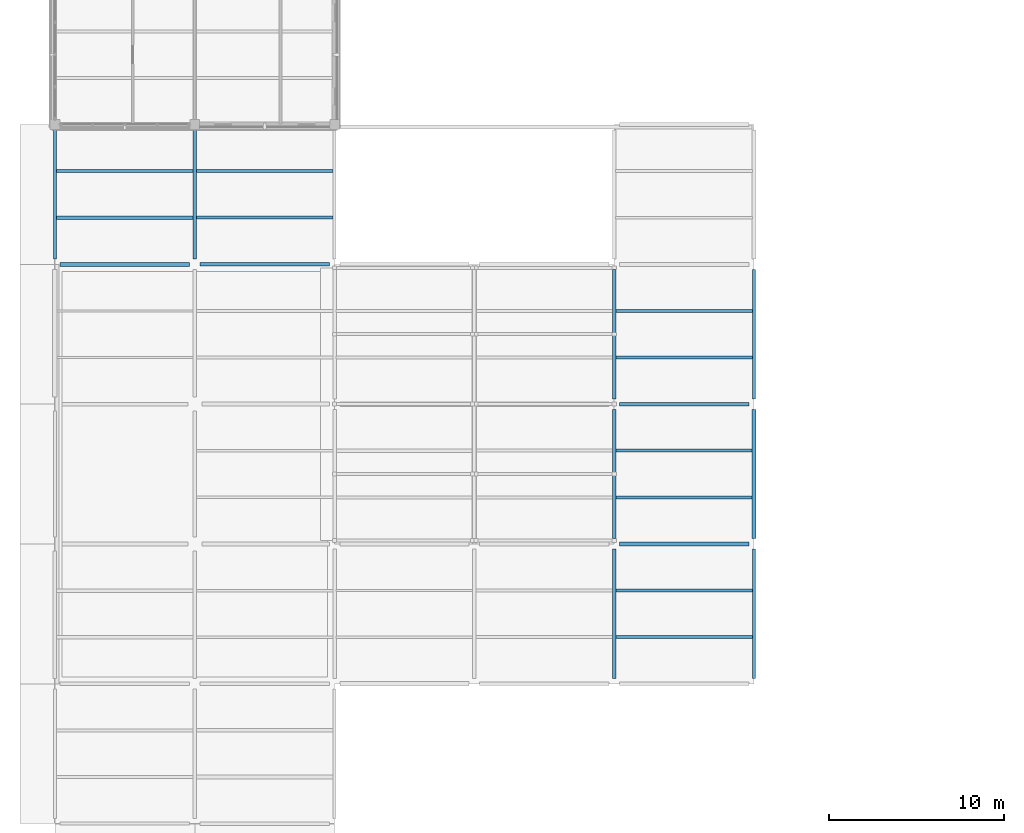
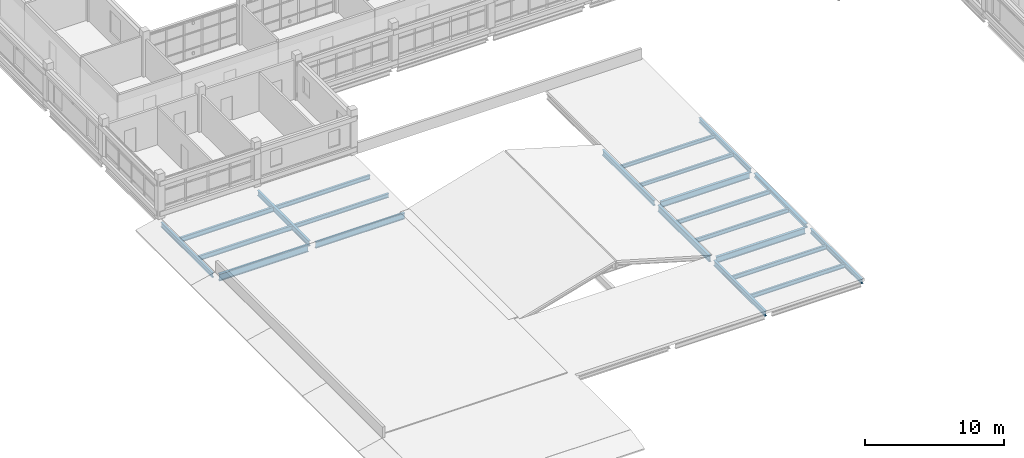
# One storey, part 7 of 107: 22 beams.
"""IFC4 building model written with IfcOpenShell, lengths in metres."""

from ifc_helpers import new_model, si_unit, derived_unit, direction, frame, origin, origin_2d, place, context, subcontext, project, spatial, i_section, extrude, material, material_profile, profile_set, type_object, element, save


model = new_model("IFC4")

# Units and contexts
model_context = context("Model", 3, precision=1e-05, world=origin(), true_north=direction((0.0, 1.0)))
body_context = subcontext(model_context, "Body", "Model", "MODEL_VIEW")
ifc_project = project(units=[si_unit("LENGTHUNIT", "METRE"), si_unit("AREAUNIT", "SQUARE_METRE"), si_unit("VOLUMEUNIT", "CUBIC_METRE"), si_unit("PLANEANGLEUNIT", "RADIAN"), si_unit("MASSUNIT", "GRAM", prefix="KILO"), derived_unit("THERMALTRANSMITTANCEUNIT", [(si_unit("MASSUNIT", "GRAM", prefix="KILO"), 1), (si_unit("TIMEUNIT", "SECOND"), -3), (si_unit("THERMODYNAMICTEMPERATUREUNIT", "KELVIN"), -1)])], contexts=[model_context])

# Site, building, storey
site_placement = place(None, origin())
site = spatial("IfcSite", under=ifc_project, at=site_placement, CompositionType="ELEMENT")
building_placement = place(site_placement, origin())
building = spatial("IfcBuilding", under=site, at=building_placement, Name="Veyamyaing Civic Hall", CompositionType="ELEMENT")
storey_placement = place(building_placement, frame((0.0, 0.0, 13.860107421875)))
storey = spatial("IfcBuildingStorey", under=building, at=storey_placement, Name="L03", CompositionType="ELEMENT", Elevation=13.860107421875)

# Beams
ifc_material = material(Name="Steel ASTM A992", Category="steel")
ifc_material_profile_1 = material_profile(ifc_material, i_section(OverallWidth=0.22802734375, OverallDepth=0.60791015625, WebThickness=0.01123046875, FlangeThickness=0.017333984375, FilletRadius=0.012939453125, at=origin_2d()), Name="W610X113")
ifc_profile_set_1 = profile_set([ifc_material_profile_1], Name="Steel ASTM A992")
beam_type_1 = type_object("IfcBeamType", Name="B-06", PredefinedType="BEAM", material=ifc_profile_set_1)
beam_1_placement = place(storey_placement, frame((0.300048828125, 32.0, -0.544189453125), z_axis=(1.0, 0.0, 0.0), x_axis=(0.0, 1.0, 0.0)))
element("IfcBeam", 1, at=beam_1_placement, inside=storey, type_object=beam_type_1, Name="Girder B-06 L03 Grid E 1-2", PredefinedType="BEAM", context=body_context, shape_type="SweptSolid", body=[
    extrude(i_section(OverallWidth=0.22802734375, OverallDepth=0.60791015625, WebThickness=0.01123046875, FlangeThickness=0.017333984375, FilletRadius=0.012939453125, at=origin_2d()), origin(), (0.0, 0.0, 1.0), 7.39990234375),
])
ifc_material_profile_2 = material_profile(ifc_material, i_section(OverallWidth=0.208984375, OverallDepth=0.532958984375, WebThickness=0.01025390625, FlangeThickness=0.015625, FilletRadius=0.011962890625, at=origin_2d()), Name="W530X92")
ifc_profile_set_2 = profile_set([ifc_material_profile_2], Name="Steel ASTM A992")
beam_type_2 = type_object("IfcBeamType", Name="B-07", PredefinedType="BEAM", material=ifc_profile_set_2)
beam_2_placement = place(storey_placement, frame((8.300048828125, 32.0, -0.506591796875), z_axis=(1.0, 0.0, 0.0), x_axis=(0.0, 1.0, 0.0)))
element("IfcBeam", 2, at=beam_2_placement, inside=storey, type_object=beam_type_2, Name="Girder B-07 L03 Grid E 2-3", PredefinedType="BEAM", context=body_context, shape_type="SweptSolid", body=[
    extrude(i_section(OverallWidth=0.208984375, OverallDepth=0.532958984375, WebThickness=0.01025390625, FlangeThickness=0.015625, FilletRadius=0.011962890625, at=origin_2d()), origin(), (0.0, 0.0, 1.0), 7.39990234375),
])
ifc_material_profile_3 = material_profile(ifc_material, i_section(OverallWidth=0.19189453125, OverallDepth=0.462890625, WebThickness=0.010498046875, FlangeThickness=0.017578125, FilletRadius=0.010009765625, at=origin_2d()), Name="W460X89")
ifc_profile_set_3 = profile_set([ifc_material_profile_3], Name="Steel ASTM A992")
beam_type_3 = type_object("IfcBeamType", Name="B-08", PredefinedType="BEAM", material=ifc_profile_set_3)
for number, where, z_axis, x_axis, name in (
    (3, (8.0, 32.300048828125, -0.4716796875), (0.0, 1.0, 0.0), (-1.0, 0.0, 0.0), "Girder B-08 L03 Grid 2 E-F"),
    (4, (32.0, 8.300048828125, -0.4716796875), (0.0, 1.0, 0.0), (-1.0, 0.0, 0.0), "Girder B-08 L03 Grid 5 B-C"),
):
    element("IfcBeam", number, at=place(storey_placement, frame(where, z_axis=z_axis, x_axis=x_axis)), inside=storey, type_object=beam_type_3, Name=name, PredefinedType="BEAM", context=body_context, shape_type="SweptSolid", body=[
        extrude(i_section(OverallWidth=0.19189453125, OverallDepth=0.462890625, WebThickness=0.010498046875, FlangeThickness=0.017578125, FilletRadius=0.010009765625, at=origin_2d()), origin(), (0.0, 0.0, 1.0), 7.39990234375),
    ])
ifc_material_profile_4 = material_profile(ifc_material, i_section(OverallWidth=0.179931640625, OverallDepth=0.4130859375, WebThickness=0.009765625, FlangeThickness=0.01611328125, FilletRadius=0.010009765625, at=origin_2d()), Name="W410X74")
ifc_profile_set_4 = profile_set([ifc_material_profile_4], Name="Steel ASTM A992")
beam_type_4 = type_object("IfcBeamType", Name="B-10", PredefinedType="SPANDREL", material=ifc_profile_set_4)
for number, where, z_axis, x_axis, name in (
    (5, (0.0, 32.300048828125, -0.446533203125), (0.0, 1.0, 0.0), (-1.0, 0.0, 0.0), "Girder B-10 L03 Grid 1 E-F"),
    (6, (40.0, 24.300048828125, -0.446533203125), (0.0, 1.0, 0.0), (-1.0, 0.0, 0.0), "Girder B-10 L03 Grid 6 D-E"),
):
    element("IfcBeam", number, at=place(storey_placement, frame(where, z_axis=z_axis, x_axis=x_axis)), inside=storey, type_object=beam_type_4, Name=name, PredefinedType="SPANDREL", context=body_context, shape_type="SweptSolid", body=[
        extrude(i_section(OverallWidth=0.179931640625, OverallDepth=0.4130859375, WebThickness=0.009765625, FlangeThickness=0.01611328125, FilletRadius=0.010009765625, at=origin_2d()), origin(), (0.0, 0.0, 1.0), 7.39990234375),
    ])
ifc_material_profile_5 = material_profile(ifc_material, i_section(OverallWidth=0.214111328125, OverallDepth=0.549072265625, WebThickness=0.0146484375, FlangeThickness=0.023681640625, FilletRadius=0.011962890625, at=origin_2d()), Name="W530X138")
ifc_profile_set_5 = profile_set([ifc_material_profile_5], Name="Steel ASTM A992")
beam_type_5 = type_object("IfcBeamType", Name="B-16", PredefinedType="BEAM", material=ifc_profile_set_5)
beam_3_placement = place(storey_placement, frame((32.300048828125, 16.0, -0.5146484375), z_axis=(1.0, 0.0, 0.0), x_axis=(0.0, 1.0, 0.0)))
element("IfcBeam", 7, at=beam_3_placement, inside=storey, type_object=beam_type_5, Name="Girder B-16 L03 Grid C 5-6", PredefinedType="BEAM", context=body_context, shape_type="SweptSolid", body=[
    extrude(i_section(OverallWidth=0.214111328125, OverallDepth=0.549072265625, WebThickness=0.0146484375, FlangeThickness=0.023681640625, FilletRadius=0.011962890625, at=origin_2d()), origin(), (0.0, 0.0, 1.0), 7.39990234375),
])
ifc_material_profile_6 = material_profile(ifc_material, i_section(OverallWidth=0.2109375, OverallDepth=0.5390625, WebThickness=0.01171875, FlangeThickness=0.018798828125, FilletRadius=0.011962890625, at=origin_2d()), Name="W530X109")
ifc_profile_set_6 = profile_set([ifc_material_profile_6], Name="Steel ASTM A992")
beam_type_6 = type_object("IfcBeamType", Name="B-17", PredefinedType="BEAM", material=ifc_profile_set_6)
for number, where, z_axis, x_axis, name in (
    (8, (32.300048828125, 24.0, -0.509521484375), (1.0, 0.0, 0.0), (0.0, 1.0, 0.0), "Girder B-17 L03 Grid D 5-6"),
    (9, (32.0, 16.300048828125, -0.509521484375), (0.0, 1.0, 0.0), (-1.0, 0.0, 0.0), "Girder B-17 L03 Grid 5 C-D"),
):
    element("IfcBeam", number, at=place(storey_placement, frame(where, z_axis=z_axis, x_axis=x_axis)), inside=storey, type_object=beam_type_6, Name=name, PredefinedType="BEAM", context=body_context, shape_type="SweptSolid", body=[
        extrude(i_section(OverallWidth=0.2109375, OverallDepth=0.5390625, WebThickness=0.01171875, FlangeThickness=0.018798828125, FilletRadius=0.011962890625, at=origin_2d()), origin(), (0.0, 0.0, 1.0), 7.39990234375),
    ])
ifc_material_profile_7 = material_profile(ifc_material, i_section(OverallWidth=0.194091796875, OverallDepth=0.468994140625, WebThickness=0.0126953125, FlangeThickness=0.0205078125, FilletRadius=0.010009765625, at=origin_2d()), Name="W460X106")
ifc_profile_set_7 = profile_set([ifc_material_profile_7], Name="Steel ASTM A992")
beam_type_7 = type_object("IfcBeamType", Name="B-18", PredefinedType="BEAM", material=ifc_profile_set_7)
beam_4_placement = place(storey_placement, frame((32.0, 24.300048828125, -0.474609375), z_axis=(0.0, 1.0, 0.0), x_axis=(-1.0, 0.0, 0.0)))
element("IfcBeam", 10, at=beam_4_placement, inside=storey, type_object=beam_type_7, Name="Girder B-18 L03 Grid 5 D-E", PredefinedType="BEAM", context=body_context, shape_type="SweptSolid", body=[
    extrude(i_section(OverallWidth=0.194091796875, OverallDepth=0.468994140625, WebThickness=0.0126953125, FlangeThickness=0.0205078125, FilletRadius=0.010009765625, at=origin_2d()), origin(), (0.0, 0.0, 1.0), 7.39990234375),
])
ifc_material_profile_8 = material_profile(ifc_material, i_section(OverallWidth=0.180908203125, OverallDepth=0.4169921875, WebThickness=0.010986328125, FlangeThickness=0.018310546875, FilletRadius=0.010009765625, at=origin_2d()), Name="W410X85")
ifc_profile_set_8 = profile_set([ifc_material_profile_8], Name="Steel ASTM A992")
beam_type_8 = type_object("IfcBeamType", Name="B-19", PredefinedType="SPANDREL", material=ifc_profile_set_8)
beam_5_placement = place(storey_placement, frame((40.0, 8.300048828125, -0.448486328125), z_axis=(0.0, 1.0, 0.0), x_axis=(-1.0, 0.0, 0.0)))
element("IfcBeam", 11, at=beam_5_placement, inside=storey, type_object=beam_type_8, Name="Girder B-19 L03 Grid 6 B-C", PredefinedType="SPANDREL", context=body_context, shape_type="SweptSolid", body=[
    extrude(i_section(OverallWidth=0.180908203125, OverallDepth=0.4169921875, WebThickness=0.010986328125, FlangeThickness=0.018310546875, FilletRadius=0.010009765625, at=origin_2d()), origin(), (0.0, 0.0, 1.0), 7.39990234375),
])
ifc_material_profile_9 = material_profile(ifc_material, i_section(OverallWidth=0.25390625, OverallDepth=0.35302734375, WebThickness=0.009521484375, FlangeThickness=0.016357421875, FilletRadius=0.011962890625, at=origin_2d()), Name="W360X91")
ifc_profile_set_9 = profile_set([ifc_material_profile_9], Name="Steel ASTM A992")
beam_type_9 = type_object("IfcBeamType", Name="B-20", PredefinedType="SPANDREL", material=ifc_profile_set_9)
beam_6_placement = place(storey_placement, frame((40.0, 16.300048828125, -0.41650390625), z_axis=(0.0, 1.0, 0.0), x_axis=(-1.0, 0.0, 0.0)))
element("IfcBeam", 12, at=beam_6_placement, inside=storey, type_object=beam_type_9, Name="Girder B-20 L03 Grid 6 C-D", PredefinedType="SPANDREL", context=body_context, shape_type="SweptSolid", body=[
    extrude(i_section(OverallWidth=0.25390625, OverallDepth=0.35302734375, WebThickness=0.009521484375, FlangeThickness=0.016357421875, FilletRadius=0.011962890625, at=origin_2d()), origin(), (0.0, 0.0, 1.0), 7.39990234375),
])
ifc_material_profile_10 = material_profile(ifc_material, i_section(OverallWidth=0.177978515625, OverallDepth=0.406982421875, WebThickness=0.0078125, FlangeThickness=0.0126953125, FilletRadius=0.010009765625, at=origin_2d()), Name="W410X60")
ifc_profile_set_10 = profile_set([ifc_material_profile_10], Name="Steel ASTM A992")
beam_type_10 = type_object("IfcBeamType", Name="J-01", PredefinedType="JOIST", material=ifc_profile_set_10)
for number, where, z_axis, x_axis, name in (
    (13, (0.087890625, 34.666748046875, -0.443603515625), (1.0, 0.0, 0.0), (0.0, 1.0, 0.0), "Composite floor joist J-01 L03 1.5.1"),
    (14, (0.087890625, 37.333251953125, -0.443603515625), (1.0, 0.0, 0.0), (0.0, 1.0, 0.0), "Composite floor joist J-01 L03 1.5.2"),
):
    element("IfcBeam", number, at=place(storey_placement, frame(where, z_axis=z_axis, x_axis=x_axis)), inside=storey, type_object=beam_type_10, Name=name, PredefinedType="JOIST", context=body_context, shape_type="SweptSolid", body=[
        extrude(i_section(OverallWidth=0.177978515625, OverallDepth=0.406982421875, WebThickness=0.0078125, FlangeThickness=0.0126953125, FilletRadius=0.010009765625, at=origin_2d()), origin(), (0.0, 0.0, 1.0), 7.818115234375),
    ])
ifc_material_profile_11 = material_profile(ifc_material, i_section(OverallWidth=0.172119140625, OverallDepth=0.35791015625, WebThickness=0.0078125, FlangeThickness=0.01318359375, FilletRadius=0.010009765625, at=origin_2d()), Name="W360X57")
ifc_profile_set_11 = profile_set([ifc_material_profile_11], Name="Steel ASTM A992")
beam_type_11 = type_object("IfcBeamType", Name="J-02", PredefinedType="JOIST", material=ifc_profile_set_11)
for number, where, z_axis, x_axis, name in (
    (15, (8.093994140625, 34.666748046875, -0.419189453125), (1.0, 0.0, 0.0), (0.0, 1.0, 0.0), "Composite floor joist J-02 L03 2.5.1"),
    (16, (8.093994140625, 37.333251953125, -0.419189453125), (1.0, 0.0, 0.0), (0.0, 1.0, 0.0), "Composite floor joist J-02 L03 2.5.2"),
    (17, (32.093994140625, 10.666748046875, -0.419189453125), (1.0, 0.0, 0.0), (0.0, 1.0, 0.0), "Composite floor joist J-02 L03 5.2.1"),
    (18, (32.093994140625, 13.333251953125, -0.419189453125), (1.0, 0.0, 0.0), (0.0, 1.0, 0.0), "Composite floor joist J-02 L03 5.2.2"),
):
    element("IfcBeam", number, at=place(storey_placement, frame(where, z_axis=z_axis, x_axis=x_axis)), inside=storey, type_object=beam_type_11, Name=name, PredefinedType="JOIST", context=body_context, shape_type="SweptSolid", body=[
        extrude(i_section(OverallWidth=0.172119140625, OverallDepth=0.35791015625, WebThickness=0.0078125, FlangeThickness=0.01318359375, FilletRadius=0.010009765625, at=origin_2d()), origin(), (0.0, 0.0, 1.0), 7.817626953125),
    ])
ifc_material_profile_12 = material_profile(ifc_material, i_section(OverallWidth=0.1708984375, OverallDepth=0.35205078125, WebThickness=0.0068359375, FlangeThickness=0.009765625, FilletRadius=0.010009765625, at=origin_2d()), Name="W360X44")
ifc_profile_set_12 = profile_set([ifc_material_profile_12], Name="Steel ASTM A992")
beam_type_12 = type_object("IfcBeamType", Name="J-03", PredefinedType="JOIST", material=ifc_profile_set_12)
for number, where, z_axis, x_axis, name in (
    (19, (32.103515625, 18.666748046875, -0.416015625), (1.0, 0.0, 0.0), (0.0, 1.0, 0.0), "Composite floor joist J-03 L03 5.3.1"),
    (20, (32.103515625, 21.333251953125, -0.416015625), (1.0, 0.0, 0.0), (0.0, 1.0, 0.0), "Composite floor joist J-03 L03 5.3.2"),
):
    element("IfcBeam", number, at=place(storey_placement, frame(where, z_axis=z_axis, x_axis=x_axis)), inside=storey, type_object=beam_type_12, Name=name, PredefinedType="JOIST", context=body_context, shape_type="SweptSolid", body=[
        extrude(i_section(OverallWidth=0.1708984375, OverallDepth=0.35205078125, WebThickness=0.0068359375, FlangeThickness=0.009765625, FilletRadius=0.010009765625, at=origin_2d()), origin(), (0.0, 0.0, 1.0), 7.771484375),
    ])
ifc_material_profile_13 = material_profile(ifc_material, i_section(OverallWidth=0.1669921875, OverallDepth=0.318115234375, WebThickness=0.007568359375, FlangeThickness=0.01318359375, FilletRadius=0.010009765625, at=origin_2d()), Name="W310X52")
ifc_profile_set_13 = profile_set([ifc_material_profile_13], Name="Steel ASTM A992")
beam_type_13 = type_object("IfcBeamType", Name="J-04", PredefinedType="JOIST", material=ifc_profile_set_13)
for number, where, z_axis, x_axis, name in (
    (21, (32.094970703125, 26.666748046875, -0.399169921875), (1.0, 0.0, 0.0), (0.0, 1.0, 0.0), "Composite floor joist J-04 L03 5.4.1"),
    (22, (32.094970703125, 29.333251953125, -0.399169921875), (1.0, 0.0, 0.0), (0.0, 1.0, 0.0), "Composite floor joist J-04 L03 5.4.2"),
):
    element("IfcBeam", number, at=place(storey_placement, frame(where, z_axis=z_axis, x_axis=x_axis)), inside=storey, type_object=beam_type_13, Name=name, PredefinedType="JOIST", context=body_context, shape_type="SweptSolid", body=[
        extrude(i_section(OverallWidth=0.1669921875, OverallDepth=0.318115234375, WebThickness=0.007568359375, FlangeThickness=0.01318359375, FilletRadius=0.010009765625, at=origin_2d()), origin(), (0.0, 0.0, 1.0), 7.817138671875),
    ])

save(model, "model.ifc")
